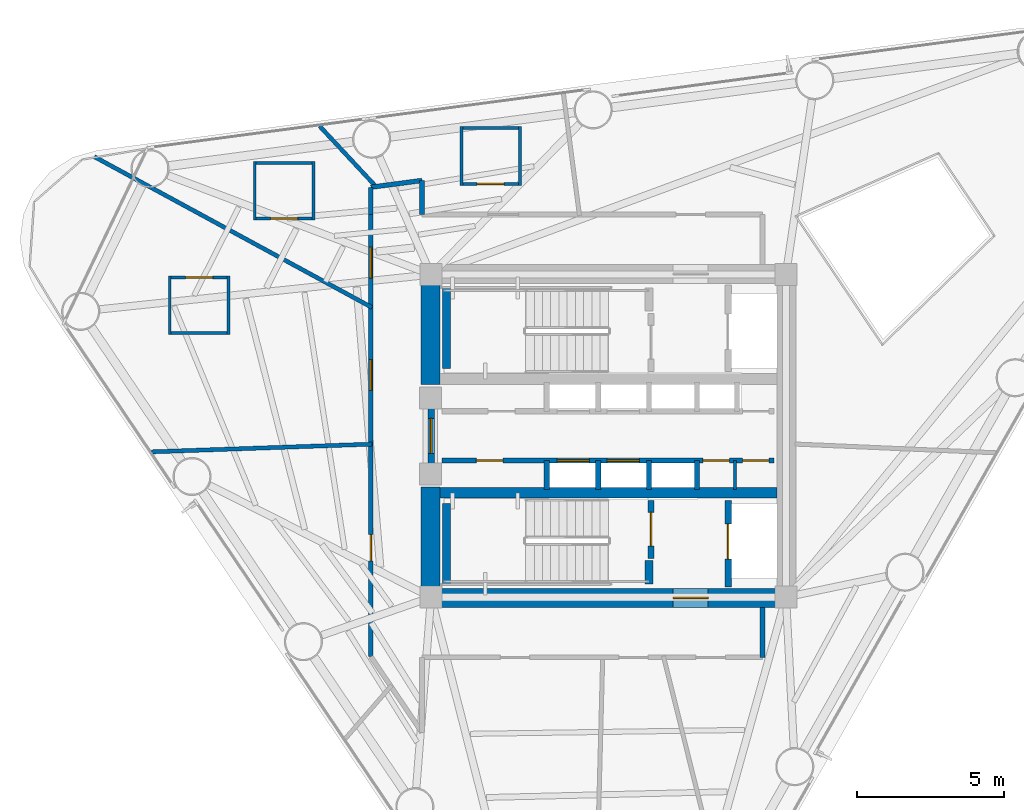
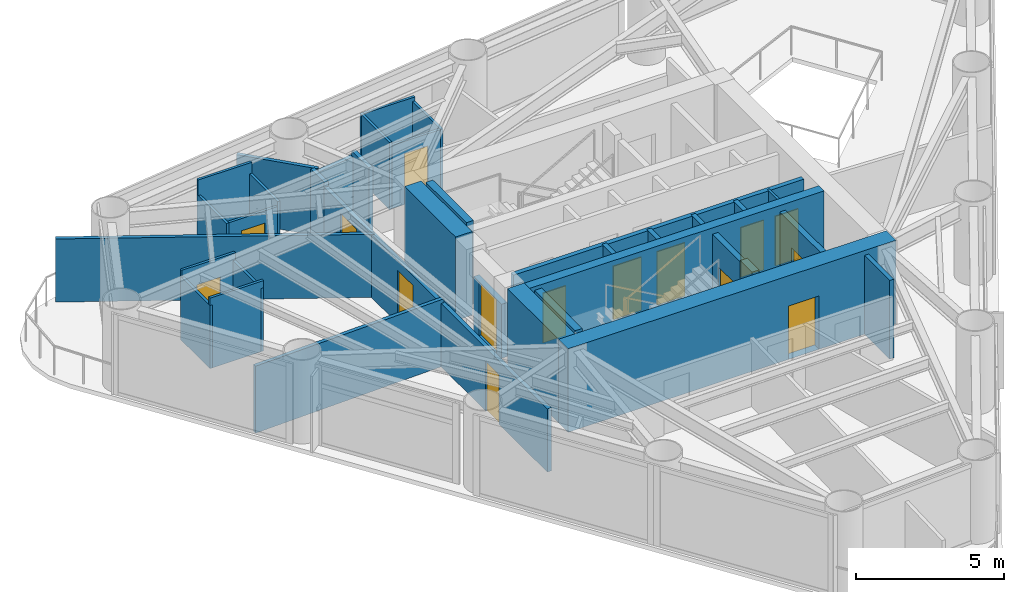
# One storey, part 5 of 9: 36 walls, 15 doors, 15 openings.
"""IFC4 building model written with IfcOpenShell, lengths in metres."""

from ifc_helpers import new_model, si_unit, direction, frame, frame_2d, origin, place, context, subcontext, project, spatial, rectangle, extrude, material, layer, layer_set, type_object, element, fill, save


model = new_model("IFC4")

# Units and contexts
model_context = context("Model", 3, precision=1e-05, world=origin(), true_north=direction((0.0, 1.0)))
body_context = subcontext(model_context, "Body", "Model", "MODEL_VIEW")
ifc_project = project(units=[si_unit("LENGTHUNIT", "METRE"), si_unit("AREAUNIT", "SQUARE_METRE"), si_unit("VOLUMEUNIT", "CUBIC_METRE"), si_unit("PLANEANGLEUNIT", "RADIAN"), si_unit("MASSUNIT", "GRAM", prefix="KILO")], contexts=[model_context])

# Site, building, storey
site_placement = place(None, origin())
site = spatial("IfcSite", under=ifc_project, at=site_placement, CompositionType="ELEMENT")
building_placement = place(site_placement, origin())
building = spatial("IfcBuilding", under=site, at=building_placement, Name="Yunling Apex Tower", CompositionType="ELEMENT")
storey_placement = place(building_placement, frame((0.0, 0.0, 172.550048828125)))
storey = spatial("IfcBuildingStorey", under=building, at=storey_placement, Name="L42", CompositionType="ELEMENT", Elevation=172.550048828125)

# Wall, opening, door
ifc_material_1 = material(Name="Concrete C50", Category="concrete")
ifc_layer_1 = layer(ifc_material_1, 0.64990234375)
ifc_layer_set_1 = layer_set([ifc_layer_1], Name="Concrete C50")
wall_type_1 = type_object("IfcWallType", Name="WL-COR-2", PredefinedType="SHEAR", material=ifc_layer_set_1)
wall_1_placement = place(storey_placement, frame((-6.39990234375, -5.52490234375, 0.0), z_axis=(0.0, 0.0, 1.0), x_axis=(1.0, 0.0, 0.0)))
wall_1 = element("IfcWall", 1, at=wall_1_placement, inside=storey, type_object=wall_type_1, Name="L42 South Core Shear Wall", PredefinedType="SHEAR", context=body_context, shape_type="SweptSolid", body=[
    extrude(rectangle(XDim=12.7998046875, YDim=0.64990234375, at=frame_2d((6.39990234375, 0.0))), origin(), (0.0, 0.0, 1.0), 3.449951171875),
])
opening_1_placement = place(wall_1_placement, frame((8.60009765625, 0.0, 0.0)))
opening_1 = element("IfcOpeningElement", 2, at=opening_1_placement, cuts=wall_1, Name="Opening DR-FFL-1", PredefinedType="OPENING", context=body_context, shape_type="SweptSolid", body=[
    extrude(rectangle(XDim=1.199951171875, YDim=2.199951171875, at=frame_2d((0.60009765625, 1.10009765625))), frame((0.0, 0.3349609375, 0.0), z_axis=(0.0, -1.0, 0.0), x_axis=(1.0, 0.0, 0.0)), (0.0, 0.0, 1.0), 0.669921875),
])
ifc_material_2 = material(Name="Steel Q355B", Category="steel")
door_type_1 = type_object("IfcDoorType", Name="DR-FFL-1", OperationType="NOTDEFINED", PredefinedType="DOOR", material=ifc_material_2)
door_1_placement = place(opening_1_placement, origin())
door_1 = element("IfcDoor", 3, at=door_1_placement, inside=storey, type_object=door_type_1, Name="L42 South Firefighting Lobby Door", OperationType="SINGLE_SWING_RIGHT", OverallHeight=2.199951171875, OverallWidth=1.199951171875, PredefinedType="DOOR", context=body_context, shape_type="SweptSolid", body=[
    extrude(rectangle(XDim=1.199951171875, YDim=2.199951171875, at=frame_2d((0.60009765625, 1.10009765625))), frame((0.0, 0.02490234375, 0.0), z_axis=(0.0, -1.0, 0.0), x_axis=(1.0, 0.0, 0.0)), (0.0, 0.0, 1.0), 0.050048828125),
])
fill(opening_1, door_1)

# Walls
for number, where, z_axis, x_axis, name in (
    (4, (-6.074951171875, -5.199951171875, 0.0), (0.0, 0.0, 1.0), (0.0, 1.0, 0.0), "L42 West-South Core Shear Wall"),
    (5, (-6.074951171875, 1.75, 0.0), (0.0, 0.0, 1.0), (0.0, 1.0, 0.0), "L42 West-North Core Shear Wall"),
):
    element("IfcWall", number, at=place(storey_placement, frame(where, z_axis=z_axis, x_axis=x_axis)), inside=storey, type_object=wall_type_1, Name=name, PredefinedType="SHEAR", context=body_context, shape_type="SweptSolid", body=[
        extrude(rectangle(XDim=3.449951171875, YDim=0.64990234375, at=frame_2d((1.72509765625, 0.0))), origin(), (0.0, 0.0, 1.0), 3.449951171875),
    ])
ifc_material_3 = material(Name="Concrete C40", Category="concrete")
ifc_layer_2 = layer(ifc_material_3, 0.360107421875)
ifc_layer_set_2 = layer_set([ifc_layer_2], Name="Concrete C40")
wall_type_2 = type_object("IfcWallType", Name="WL-COR-4", PredefinedType="SHEAR", material=ifc_layer_set_2)
wall_2_placement = place(storey_placement, frame((-5.75, -1.93994140625, 0.0), z_axis=(0.0, 0.0, 1.0), x_axis=(1.0, 0.0, 0.0)))
element("IfcWall", 6, at=wall_2_placement, inside=storey, type_object=wall_type_2, Name="L42 South Internal Core Shear Wall", PredefinedType="SHEAR", context=body_context, shape_type="SweptSolid", body=[
    extrude(rectangle(XDim=11.5, YDim=0.360107421875, at=frame_2d((5.75, 0.0))), origin(), (0.0, 0.0, 1.0), 3.449951171875),
])
ifc_layer_3 = layer(ifc_material_3, 0.280029296875)
ifc_layer_set_3 = layer_set([ifc_layer_3], Name="Concrete C40")
wall_type_3 = type_object("IfcWallType", Name="WL-COR-8", PredefinedType="SHEAR", material=ifc_layer_set_3)
for number, where, z_axis, x_axis, name in (
    (7, (-5.52001953125, 2.300048828125, 0.0), (0.0, 0.0, 1.0), (0.0, 1.0, 0.0), "L42 ST-1 West Landing Bearing Wall"),
    (8, (-5.52001953125, -5.050048828125, 0.0), (0.0, 0.0, 1.0), (0.0, 1.0, 0.0), "L42 ST-2 West Landing Bearing Wall"),
):
    element("IfcWall", number, at=place(storey_placement, frame(where, z_axis=z_axis, x_axis=x_axis)), inside=storey, type_object=wall_type_3, Name=name, PredefinedType="SHEAR", context=body_context, shape_type="SweptSolid", body=[
        extrude(rectangle(XDim=2.75, YDim=0.280029296875, at=frame_2d((1.375, 0.0))), origin(), (0.0, 0.0, 1.0), 3.449951171875),
    ])
wall_3_placement = place(storey_placement, frame((1.3798828125, -5.050048828125, 0.0), z_axis=(0.0, 0.0, 1.0), x_axis=(0.0, 1.0, 0.0)))
element("IfcWall", 9, at=wall_3_placement, inside=storey, type_object=wall_type_3, Name="L42 ST-2 East Landing Bearing Pier", PredefinedType="SHEAR", context=body_context, shape_type="SweptSolid", body=[
    extrude(rectangle(XDim=0.800048828125, YDim=0.280029296875, at=frame_2d((0.39990234375, 0.0))), origin(), (0.0, 0.0, 1.0), 3.449951171875),
])

# Wall, openings, doors
ifc_material_4 = material(Name="Gypsum board acoustic partition")
ifc_layer_4 = layer(ifc_material_4, 0.159912109375)
ifc_layer_set_4 = layer_set([ifc_layer_4], Name="Gypsum board acoustic partition")
wall_type_4 = type_object("IfcWallType", Name="WL-PRT-1", PredefinedType="PARTITIONING", material=ifc_layer_set_4)
wall_4_placement = place(storey_placement, frame((-8.10009765625, -7.52783203125, 0.0), z_axis=(0.0, 0.0, 1.0), x_axis=(0.0, 1.0, 0.0)))
wall_4 = element("IfcWall", 10, at=wall_4_placement, inside=storey, type_object=wall_type_4, Name="WL-CORR-L42-02", PredefinedType="PARTITIONING", context=body_context, shape_type="SweptSolid", body=[
    extrude(rectangle(XDim=15.077880859375, YDim=0.159912109375, at=frame_2d((7.5390625, 0.0))), origin(), (0.0, 0.0, 1.0), 2.60498046875),
])
opening_2_placement = place(wall_4_placement, frame((3.26513671875, 0.0, 0.0)))
opening_2 = element("IfcOpeningElement", 11, at=opening_2_placement, cuts=wall_4, Name="Opening DR-SHF-1", PredefinedType="OPENING", context=body_context, shape_type="SweptSolid", body=[
    extrude(rectangle(XDim=0.89990234375, YDim=2.050048828125, at=frame_2d((0.449951171875, 1.02490234375))), frame((0.0, 0.08984375, 0.0), z_axis=(0.0, -1.0, 0.0), x_axis=(1.0, 0.0, 0.0)), (0.0, 0.0, 1.0), 0.179931640625),
])
opening_3_placement = place(wall_4_placement, frame((9.07861328125, 0.0, 0.0)))
opening_3 = element("IfcOpeningElement", 12, at=opening_3_placement, cuts=wall_4, Name="Opening DR-FL-1", PredefinedType="OPENING", context=body_context, shape_type="SweptSolid", body=[
    extrude(rectangle(XDim=1.050048828125, YDim=2.199951171875, at=frame_2d((0.52490234375, 1.10009765625))), frame((0.0, 0.08984375, 0.0), z_axis=(0.0, -1.0, 0.0), x_axis=(1.0, 0.0, 0.0)), (0.0, 0.0, 1.0), 0.179931640625),
])
opening_4_placement = place(wall_4_placement, frame((12.909912109375, 0.0, 0.0)))
opening_4 = element("IfcOpeningElement", 13, at=opening_4_placement, cuts=wall_4, Name="Opening DR-FL-1", PredefinedType="OPENING", context=body_context, shape_type="SweptSolid", body=[
    extrude(rectangle(XDim=1.050048828125, YDim=2.199951171875, at=frame_2d((0.52490234375, 1.10009765625))), frame((0.0, 0.08984375, 0.0), z_axis=(0.0, -1.0, 0.0), x_axis=(1.0, 0.0, 0.0)), (0.0, 0.0, 1.0), 0.179931640625),
])
ifc_material_5 = material(Name="Timber fire-rated leaf", Category="wood")
door_type_2 = type_object("IfcDoorType", Name="DR-FL-1", OperationType="NOTDEFINED", PredefinedType="DOOR", material=ifc_material_5)
door_2_placement = place(opening_3_placement, origin())
door_2 = element("IfcDoor", 14, at=door_2_placement, inside=storey, type_object=door_type_2, Name="L42 Hotel Suite Door", OperationType="SINGLE_SWING_RIGHT", OverallHeight=2.199951171875, OverallWidth=1.050048828125, PredefinedType="DOOR", context=body_context, shape_type="SweptSolid", body=[
    extrude(rectangle(XDim=1.050048828125, YDim=2.199951171875, at=frame_2d((0.52490234375, 1.10009765625))), frame((0.0, 0.02490234375, 0.0), z_axis=(0.0, -1.0, 0.0), x_axis=(1.0, 0.0, 0.0)), (0.0, 0.0, 1.0), 0.050048828125),
])
fill(opening_3, door_2)
door_3_placement = place(opening_4_placement, origin())
door_3 = element("IfcDoor", 15, at=door_3_placement, inside=storey, type_object=door_type_2, Name="L42 Hotel Guest Room Door", OperationType="SINGLE_SWING_LEFT", OverallHeight=2.199951171875, OverallWidth=1.050048828125, PredefinedType="DOOR", context=body_context, shape_type="SweptSolid", body=[
    extrude(rectangle(XDim=1.050048828125, YDim=2.199951171875, at=frame_2d((0.52490234375, 1.10009765625))), frame((0.0, 0.02490234375, 0.0), z_axis=(0.0, -1.0, 0.0), x_axis=(1.0, 0.0, 0.0)), (0.0, 0.0, 1.0), 0.050048828125),
])
fill(opening_4, door_3)
door_type_3 = type_object("IfcDoorType", Name="DR-SHF-1", OperationType="NOTDEFINED", PredefinedType="DOOR", material=ifc_material_2)
door_4_placement = place(opening_2_placement, origin())
door_4 = element("IfcDoor", 16, at=door_4_placement, inside=storey, type_object=door_type_3, Name="L42 Housekeeping Room Door", OperationType="SINGLE_SWING_LEFT", OverallHeight=2.050048828125, OverallWidth=0.89990234375, PredefinedType="DOOR", context=body_context, shape_type="SweptSolid", body=[
    extrude(rectangle(XDim=0.89990234375, YDim=2.050048828125, at=frame_2d((0.449951171875, 1.02490234375))), frame((0.0, 0.02490234375, 0.0), z_axis=(0.0, -1.0, 0.0), x_axis=(1.0, 0.0, 0.0)), (0.0, 0.0, 1.0), 0.050048828125),
])
fill(opening_2, door_4)

# Walls
wall_5_placement = place(storey_placement, frame((-8.10009765625, 7.550048828125, 0.0), z_axis=(0.0, 0.0, 1.0), x_axis=(0.0, 1.0, 0.0)))
element("IfcWall", 17, at=wall_5_placement, inside=storey, type_object=wall_type_4, Name="WL-CORR-L42-03", PredefinedType="PARTITIONING", context=body_context, shape_type="SweptSolid", body=[
    extrude(rectangle(XDim=0.927001953125, YDim=0.159912109375, at=frame_2d((0.46337890625, 0.0))), origin(), (0.0, 0.0, 1.0), 2.804931640625),
])
wall_6_placement = place(storey_placement, frame((-8.10009765625, 8.47705078125, 0.0), z_axis=(0.0, 0.0, 1.0), x_axis=(0.991341723558, 0.131307224223, 0.0)))
element("IfcWall", 18, at=wall_6_placement, inside=storey, type_object=wall_type_4, Name="WL-CORR-L42-04", PredefinedType="PARTITIONING", context=body_context, shape_type="SweptSolid", body=[
    extrude(rectangle(XDim=1.755126953125, YDim=0.159912109375, at=frame_2d((0.87744140625, 0.0))), origin(), (0.0, 0.0, 1.0), 2.60498046875),
])
wall_7_placement = place(storey_placement, frame((-6.360107421875, 8.70751953125, 0.0), z_axis=(0.0, 0.0, 1.0), x_axis=(0.0, -1.0, 0.0)))
element("IfcWall", 19, at=wall_7_placement, inside=storey, type_object=wall_type_4, Name="WL-CORR-L42-05", PredefinedType="PARTITIONING", context=body_context, shape_type="SweptSolid", body=[
    extrude(rectangle(XDim=1.157470703125, YDim=0.159912109375, at=frame_2d((0.57861328125, 0.0))), origin(), (0.0, 0.0, 1.0), 2.804931640625),
])
wall_8_placement = place(storey_placement, frame((5.25, -5.85009765625, 0.0), z_axis=(0.0, 0.0, 1.0), x_axis=(0.0, -1.0, 0.0)))
element("IfcWall", 20, at=wall_8_placement, inside=storey, type_object=wall_type_4, Name="WL-CORR-L42-08", PredefinedType="PARTITIONING", context=body_context, shape_type="SweptSolid", body=[
    extrude(rectangle(XDim=1.699951171875, YDim=0.159912109375, at=frame_2d((0.85009765625, 0.0))), origin(), (0.0, 0.0, 1.0), 3.25),
])
ifc_layer_5 = layer(ifc_material_4, 0.139892578125)
ifc_layer_set_5 = layer_set([ifc_layer_5], Name="Gypsum board acoustic partition")
wall_type_5 = type_object("IfcWallType", Name="WL-PRT-2", PredefinedType="PARTITIONING", material=ifc_layer_set_5)
wall_9_placement = place(storey_placement, frame((-7.892822265625, 8.464111328125, 0.0), z_axis=(0.0, 0.0, 1.0), x_axis=(-0.682011061147, 0.73134185746, 0.0)))
element("IfcWall", 21, at=wall_9_placement, inside=storey, type_object=wall_type_5, Name="WL-RAD-L42-03", PredefinedType="PARTITIONING", context=body_context, shape_type="SweptSolid", body=[
    extrude(rectangle(XDim=2.860595703125, YDim=0.139892578125, at=frame_2d((1.43017578125, 0.0))), origin(), (0.0, 0.0, 1.0), 2.764892578125),
])
wall_10_placement = place(storey_placement, frame((-8.06005859375, 4.376220703125, 0.0), z_axis=(0.0, 0.0, 1.0), x_axis=(-0.878817054271, 0.477158867802, 0.0)))
element("IfcWall", 22, at=wall_10_placement, inside=storey, type_object=wall_type_5, Name="WL-RAD-L42-04", PredefinedType="PARTITIONING", context=body_context, shape_type="SweptSolid", body=[
    extrude(rectangle(XDim=10.7744140625, YDim=0.139892578125, at=frame_2d((5.38720703125, 0.0))), origin(), (0.0, 0.0, 1.0), 2.60498046875),
])
wall_11_placement = place(storey_placement, frame((-8.06005859375, -0.281494140625, 0.0), z_axis=(0.0, 0.0, 1.0), x_axis=(-0.999391525522, -0.034879488461, 0.0)))
element("IfcWall", 23, at=wall_11_placement, inside=storey, type_object=wall_type_5, Name="WL-RAD-L42-05", PredefinedType="PARTITIONING", context=body_context, shape_type="SweptSolid", body=[
    extrude(rectangle(XDim=7.517578125, YDim=0.139892578125, at=frame_2d((3.7587890625, 0.0))), origin(), (0.0, 0.0, 1.0), 2.764892578125),
])
ifc_layer_6 = layer(ifc_material_4, 0.10009765625)
ifc_layer_set_6 = layer_set([ifc_layer_6], Name="Gypsum board acoustic partition")
wall_type_6 = type_object("IfcWallType", Name="WL-PRT-4", PredefinedType="PARTITIONING", material=ifc_layer_set_6)
wall_12_placement = place(storey_placement, frame((4.31005859375, -1.820068359375, 0.0), z_axis=(0.0, 0.0, 1.0), x_axis=(0.0, 1.0, 0.0)))
element("IfcWall", 24, at=wall_12_placement, inside=storey, type_object=wall_type_6, Name="WL-KCDIV-L42", PredefinedType="PARTITIONING", context=body_context, shape_type="SweptSolid", body=[
    extrude(rectangle(XDim=0.97998046875, YDim=0.10009765625, at=frame_2d((0.489990234375, 0.0))), origin(), (0.0, 0.0, 1.0), 3.25),
])
wall_13_placement = place(storey_placement, frame((-5.06494140625, 10.489990234375, 0.0), z_axis=(0.0, 0.0, 1.0), x_axis=(1.0, 0.0, 0.0)))
element("IfcWall", 25, at=wall_13_placement, inside=storey, type_object=wall_type_6, Name="WL-ENS-L42-6N", PredefinedType="PARTITIONING", context=body_context, shape_type="SweptSolid", body=[
    extrude(rectangle(XDim=2.099853515625, YDim=0.10009765625, at=frame_2d((1.0498046875, 0.0))), origin(), (0.0, 0.0, 1.0), 2.764892578125),
])

# Wall, opening, door
wall_14_placement = place(storey_placement, frame((-2.965087890625, 8.590087890625, 0.0), z_axis=(0.0, 0.0, 1.0), x_axis=(-1.0, 0.0, 0.0)))
wall_14 = element("IfcWall", 26, at=wall_14_placement, inside=storey, type_object=wall_type_6, Name="WL-ENS-L42-6S", PredefinedType="PARTITIONING", context=body_context, shape_type="SweptSolid", body=[
    extrude(rectangle(XDim=2.099853515625, YDim=0.10009765625, at=frame_2d((1.0498046875, 0.0))), origin(), (0.0, 0.0, 1.0), 2.60498046875),
])
opening_5_placement = place(wall_14_placement, frame((0.590087890625, 0.0, 0.0)))
opening_5 = element("IfcOpeningElement", 27, at=opening_5_placement, cuts=wall_14, Name="Opening DR-WC-1", PredefinedType="OPENING", context=body_context, shape_type="SweptSolid", body=[
    extrude(rectangle(XDim=0.919921875, YDim=2.10009765625, at=frame_2d((0.4599609375, 1.050048828125))), frame((0.0, 0.06005859375, 0.0), z_axis=(0.0, -1.0, 0.0), x_axis=(1.0, 0.0, 0.0)), (0.0, 0.0, 1.0), 0.1201171875),
])
ifc_material_6 = material(Name="Timber moisture-resistant leaf", Category="wood")
door_type_4 = type_object("IfcDoorType", Name="DR-WC-1", OperationType="NOTDEFINED", PredefinedType="DOOR", material=ifc_material_6)
door_5_placement = place(opening_5_placement, origin())
door_5 = element("IfcDoor", 28, at=door_5_placement, inside=storey, type_object=door_type_4, Name="L42 En-Suite Door", OperationType="SINGLE_SWING_RIGHT", OverallHeight=2.10009765625, OverallWidth=0.919921875, PredefinedType="DOOR", context=body_context, shape_type="SweptSolid", body=[
    extrude(rectangle(XDim=0.919921875, YDim=2.10009765625, at=frame_2d((0.4599609375, 1.050048828125))), frame((0.0, 0.02490234375, 0.0), z_axis=(0.0, -1.0, 0.0), x_axis=(1.0, 0.0, 0.0)), (0.0, 0.0, 1.0), 0.050048828125),
])
fill(opening_5, door_5)

# Walls
wall_15_placement = place(storey_placement, frame((-3.014892578125, 10.5400390625, 0.0), z_axis=(0.0, 0.0, 1.0), x_axis=(0.0, -1.0, 0.0)))
element("IfcWall", 29, at=wall_15_placement, inside=storey, type_object=wall_type_6, Name="WL-ENS-L42-6E", PredefinedType="PARTITIONING", context=body_context, shape_type="SweptSolid", body=[
    extrude(rectangle(XDim=2.0, YDim=0.10009765625, at=frame_2d((1.0, 0.0))), origin(), (0.0, 0.0, 1.0), 2.60498046875),
])
wall_16_placement = place(storey_placement, frame((-5.014892578125, 8.5400390625, 0.0), z_axis=(0.0, 0.0, 1.0), x_axis=(0.0, 1.0, 0.0)))
element("IfcWall", 30, at=wall_16_placement, inside=storey, type_object=wall_type_6, Name="WL-ENS-L42-6W", PredefinedType="PARTITIONING", context=body_context, shape_type="SweptSolid", body=[
    extrude(rectangle(XDim=2.0, YDim=0.10009765625, at=frame_2d((1.0, 0.0))), origin(), (0.0, 0.0, 1.0), 2.764892578125),
])
wall_17_placement = place(storey_placement, frame((-12.10888671875, 9.30810546875, 0.0), z_axis=(0.0, 0.0, 1.0), x_axis=(1.0, 0.0, 0.0)))
element("IfcWall", 31, at=wall_17_placement, inside=storey, type_object=wall_type_6, Name="WL-ENS-L42-7N", PredefinedType="PARTITIONING", context=body_context, shape_type="SweptSolid", body=[
    extrude(rectangle(XDim=2.099853515625, YDim=0.10009765625, at=frame_2d((1.0498046875, 0.0))), origin(), (0.0, 0.0, 1.0), 3.25),
])

# Wall, opening, door
wall_18_placement = place(storey_placement, frame((-10.009033203125, 7.407958984375, 0.0), z_axis=(0.0, 0.0, 1.0), x_axis=(-1.0, 0.0, 0.0)))
wall_18 = element("IfcWall", 32, at=wall_18_placement, inside=storey, type_object=wall_type_6, Name="WL-ENS-L42-7S", PredefinedType="PARTITIONING", context=body_context, shape_type="SweptSolid", body=[
    extrude(rectangle(XDim=2.099853515625, YDim=0.10009765625, at=frame_2d((1.0498046875, 0.0))), origin(), (0.0, 0.0, 1.0), 2.60498046875),
])
opening_6_placement = place(wall_18_placement, frame((0.590087890625, 0.0, 0.0)))
opening_6 = element("IfcOpeningElement", 33, at=opening_6_placement, cuts=wall_18, Name="Opening DR-WC-1", PredefinedType="OPENING", context=body_context, shape_type="SweptSolid", body=[
    extrude(rectangle(XDim=0.919921875, YDim=2.10009765625, at=frame_2d((0.4599609375, 1.050048828125))), frame((0.0, 0.06005859375, 0.0), z_axis=(0.0, -1.0, 0.0), x_axis=(1.0, 0.0, 0.0)), (0.0, 0.0, 1.0), 0.1201171875),
])
door_6_placement = place(opening_6_placement, origin())
door_6 = element("IfcDoor", 34, at=door_6_placement, inside=storey, type_object=door_type_4, Name="L42 En-Suite Door", OperationType="SINGLE_SWING_LEFT", OverallHeight=2.10009765625, OverallWidth=0.919921875, PredefinedType="DOOR", context=body_context, shape_type="SweptSolid", body=[
    extrude(rectangle(XDim=0.919921875, YDim=2.10009765625, at=frame_2d((0.4599609375, 1.050048828125))), frame((0.0, 0.02490234375, 0.0), z_axis=(0.0, -1.0, 0.0), x_axis=(1.0, 0.0, 0.0)), (0.0, 0.0, 1.0), 0.050048828125),
])
fill(opening_6, door_6)

# Walls
wall_19_placement = place(storey_placement, frame((-10.05908203125, 9.35791015625, 0.0), z_axis=(0.0, 0.0, 1.0), x_axis=(0.0, -1.0, 0.0)))
element("IfcWall", 35, at=wall_19_placement, inside=storey, type_object=wall_type_6, Name="WL-ENS-L42-7E", PredefinedType="PARTITIONING", context=body_context, shape_type="SweptSolid", body=[
    extrude(rectangle(XDim=2.0, YDim=0.10009765625, at=frame_2d((1.0, 0.0))), origin(), (0.0, 0.0, 1.0), 2.804931640625),
])
wall_20_placement = place(storey_placement, frame((-12.05908203125, 7.35791015625, 0.0), z_axis=(0.0, 0.0, 1.0), x_axis=(0.0, 1.0, 0.0)))
element("IfcWall", 36, at=wall_20_placement, inside=storey, type_object=wall_type_6, Name="WL-ENS-L42-7W", PredefinedType="PARTITIONING", context=body_context, shape_type="SweptSolid", body=[
    extrude(rectangle(XDim=2.0, YDim=0.10009765625, at=frame_2d((1.0, 0.0))), origin(), (0.0, 0.0, 1.0), 2.60498046875),
])

# Wall, opening, door
wall_21_placement = place(storey_placement, frame((-15.007080078125, 5.403076171875, 0.0), z_axis=(0.0, 0.0, 1.0), x_axis=(1.0, 0.0, 0.0)))
wall_21 = element("IfcWall", 37, at=wall_21_placement, inside=storey, type_object=wall_type_6, Name="WL-ENS-L42-8N", PredefinedType="PARTITIONING", context=body_context, shape_type="SweptSolid", body=[
    extrude(rectangle(XDim=2.10009765625, YDim=0.10009765625, at=frame_2d((1.050048828125, 0.0))), origin(), (0.0, 0.0, 1.0), 2.905029296875),
])
opening_7_placement = place(wall_21_placement, frame((0.590087890625, 0.0, 0.0)))
opening_7 = element("IfcOpeningElement", 38, at=opening_7_placement, cuts=wall_21, Name="Opening DR-WC-1", PredefinedType="OPENING", context=body_context, shape_type="SweptSolid", body=[
    extrude(rectangle(XDim=0.919921875, YDim=2.10009765625, at=frame_2d((0.4599609375, 1.050048828125))), frame((0.0, 0.06005859375, 0.0), z_axis=(0.0, -1.0, 0.0), x_axis=(1.0, 0.0, 0.0)), (0.0, 0.0, 1.0), 0.1201171875),
])
door_7_placement = place(opening_7_placement, origin())
door_7 = element("IfcDoor", 39, at=door_7_placement, inside=storey, type_object=door_type_4, Name="L42 En-Suite Door", OperationType="SINGLE_SWING_RIGHT", OverallHeight=2.10009765625, OverallWidth=0.919921875, PredefinedType="DOOR", context=body_context, shape_type="SweptSolid", body=[
    extrude(rectangle(XDim=0.919921875, YDim=2.10009765625, at=frame_2d((0.4599609375, 1.050048828125))), frame((0.0, 0.02490234375, 0.0), z_axis=(0.0, -1.0, 0.0), x_axis=(1.0, 0.0, 0.0)), (0.0, 0.0, 1.0), 0.050048828125),
])
fill(opening_7, door_7)

# Walls
wall_22_placement = place(storey_placement, frame((-12.906982421875, 3.5029296875, 0.0), z_axis=(0.0, 0.0, 1.0), x_axis=(-1.0, 0.0, 0.0)))
element("IfcWall", 40, at=wall_22_placement, inside=storey, type_object=wall_type_6, Name="WL-ENS-L42-8S", PredefinedType="PARTITIONING", context=body_context, shape_type="SweptSolid", body=[
    extrude(rectangle(XDim=2.10009765625, YDim=0.10009765625, at=frame_2d((1.050048828125, 0.0))), origin(), (0.0, 0.0, 1.0), 2.905029296875),
])
for number, where, z_axis, x_axis, name in (
    (41, (-12.95703125, 5.452880859375, 0.0), (0.0, 0.0, 1.0), (0.0, -1.0, 0.0), "WL-ENS-L42-8E"),
    (42, (-14.95703125, 3.452880859375, 0.0), (0.0, 0.0, 1.0), (0.0, 1.0, 0.0), "WL-ENS-L42-8W"),
):
    element("IfcWall", number, at=place(storey_placement, frame(where, z_axis=z_axis, x_axis=x_axis)), inside=storey, type_object=wall_type_6, Name=name, PredefinedType="PARTITIONING", context=body_context, shape_type="SweptSolid", body=[
        extrude(rectangle(XDim=2.0, YDim=0.10009765625, at=frame_2d((1.0, 0.0))), origin(), (0.0, 0.0, 1.0), 2.60498046875),
    ])

# Wall, opening, door
ifc_material_7 = material(Name="Autoclaved aerated concrete masonry", Category="masonry")
ifc_layer_7 = layer(ifc_material_7, 0.219970703125)
ifc_layer_set_7 = layer_set([ifc_layer_7], Name="Autoclaved aerated concrete masonry")
wall_type_7 = type_object("IfcWallType", Name="WL-SHF-1", PredefinedType="PLUMBINGWALL", material=ifc_layer_set_7)
wall_23_placement = place(storey_placement, frame((-6.050048828125, -0.949951171875, 0.0), z_axis=(0.0, 0.0, 1.0), x_axis=(0.0, 1.0, 0.0)))
wall_23 = element("IfcWall", 43, at=wall_23_placement, inside=storey, type_object=wall_type_7, Name="WL-COR-WPORT-L42", PredefinedType="PLUMBINGWALL", context=body_context, shape_type="SweptSolid", body=[
    extrude(rectangle(XDim=1.89990234375, YDim=0.219970703125, at=frame_2d((0.949951171875, 0.0))), origin(), (0.0, 0.0, 1.0), 2.22998046875),
])
opening_8_placement = place(wall_23_placement, frame((0.35009765625, 0.0, 0.0)))
opening_8 = element("IfcOpeningElement", 44, at=opening_8_placement, cuts=wall_23, Name="Opening DR-FFL-1", PredefinedType="OPENING", context=body_context, shape_type="SweptSolid", body=[
    extrude(rectangle(XDim=1.199951171875, YDim=2.199951171875, at=frame_2d((0.60009765625, 1.10009765625))), frame((0.0, 0.1201171875, 0.0), z_axis=(0.0, -1.0, 0.0), x_axis=(1.0, 0.0, 0.0)), (0.0, 0.0, 1.0), 0.239990234375),
])
door_8_placement = place(opening_8_placement, origin())
door_8 = element("IfcDoor", 45, at=door_8_placement, inside=storey, type_object=door_type_1, Name="L42 Passenger Lift Lobby Entrance Door", OperationType="SINGLE_SWING_RIGHT", OverallHeight=2.199951171875, OverallWidth=1.199951171875, PredefinedType="DOOR", context=body_context, shape_type="SweptSolid", body=[
    extrude(rectangle(XDim=1.199951171875, YDim=2.199951171875, at=frame_2d((0.60009765625, 1.10009765625))), frame((0.0, 0.02490234375, 0.0), z_axis=(0.0, -1.0, 0.0), x_axis=(1.0, 0.0, 0.0)), (0.0, 0.0, 1.0), 0.050048828125),
])
fill(opening_8, door_8)

wall_24_placement = place(storey_placement, frame((1.449951171875, -4.179931640625, 0.0), z_axis=(0.0, 0.0, 1.0), x_axis=(0.0, 1.0, 0.0)))
wall_24 = element("IfcWall", 46, at=wall_24_placement, inside=storey, type_object=wall_type_7, Name="WL-ST2-E-L42", PredefinedType="PLUMBINGWALL", context=body_context, shape_type="SweptSolid", body=[
    extrude(rectangle(XDim=1.97998046875, YDim=0.219970703125, at=frame_2d((0.989990234375, 0.0))), origin(), (0.0, 0.0, 1.0), 3.25),
])
opening_9_placement = place(wall_24_placement, frame((0.419921875, 0.0, 0.0)))
opening_9 = element("IfcOpeningElement", 47, at=opening_9_placement, cuts=wall_24, Name="Opening DR-ST-1", PredefinedType="OPENING", context=body_context, shape_type="SweptSolid", body=[
    extrude(rectangle(XDim=1.14990234375, YDim=2.14990234375, at=frame_2d((0.574951171875, 1.074951171875))), frame((0.0, 0.1201171875, 0.0), z_axis=(0.0, -1.0, 0.0), x_axis=(1.0, 0.0, 0.0)), (0.0, 0.0, 1.0), 0.239990234375),
])
door_type_5 = type_object("IfcDoorType", Name="DR-ST-1", OperationType="NOTDEFINED", PredefinedType="DOOR", material=ifc_material_2)
door_9_placement = place(opening_9_placement, origin())
door_9 = element("IfcDoor", 48, at=door_9_placement, inside=storey, type_object=door_type_5, Name="L42 Stair ST-2 Fire Door", OperationType="SINGLE_SWING_RIGHT", OverallHeight=2.14990234375, OverallWidth=1.14990234375, PredefinedType="DOOR", context=body_context, shape_type="SweptSolid", body=[
    extrude(rectangle(XDim=1.14990234375, YDim=2.14990234375, at=frame_2d((0.574951171875, 1.074951171875))), frame((0.0, 0.02490234375, 0.0), z_axis=(0.0, -1.0, 0.0), x_axis=(1.0, 0.0, 0.0)), (0.0, 0.0, 1.0), 0.050048828125),
])
fill(opening_9, door_9)

wall_25_placement = place(storey_placement, frame((4.080078125, -5.14990234375, 0.0), z_axis=(0.0, 0.0, 1.0), x_axis=(0.0, 1.0, 0.0)))
wall_25 = element("IfcWall", 49, at=wall_25_placement, inside=storey, type_object=wall_type_7, Name="WL-FFL2-W-L42", PredefinedType="PLUMBINGWALL", context=body_context, shape_type="SweptSolid", body=[
    extrude(rectangle(XDim=2.949951171875, YDim=0.219970703125, at=frame_2d((1.47509765625, 0.0))), origin(), (0.0, 0.0, 1.0), 3.25),
])
opening_10_placement = place(wall_25_placement, frame((0.949951171875, 0.0, 0.0)))
opening_10 = element("IfcOpeningElement", 50, at=opening_10_placement, cuts=wall_25, Name="Opening LD-FFL-1", PredefinedType="OPENING", context=body_context, shape_type="SweptSolid", body=[
    extrude(rectangle(XDim=1.199951171875, YDim=2.25, at=frame_2d((0.60009765625, 1.125))), frame((0.0, 0.1201171875, 0.0), z_axis=(0.0, -1.0, 0.0), x_axis=(1.0, 0.0, 0.0)), (0.0, 0.0, 1.0), 0.239990234375),
])
door_type_6 = type_object("IfcDoorType", Name="LD-FFL-1", OperationType="DOUBLE_DOOR_SLIDING", PredefinedType="DOOR", material=ifc_material_2)
door_10_placement = place(opening_10_placement, origin())
door_10 = element("IfcDoor", 51, at=door_10_placement, inside=storey, type_object=door_type_6, Name="L42 Lift FFL-2 Landing Door", OperationType="DOUBLE_DOOR_SLIDING", OverallHeight=2.25, OverallWidth=1.199951171875, PredefinedType="DOOR", context=body_context, shape_type="SweptSolid", body=[
    extrude(rectangle(XDim=1.199951171875, YDim=2.25, at=frame_2d((0.60009765625, 1.125))), frame((0.0, 0.02490234375, 0.0), z_axis=(0.0, -1.0, 0.0), x_axis=(1.0, 0.0, 0.0)), (0.0, 0.0, 1.0), 0.050048828125),
])
fill(opening_10, door_10)

# Walls
ifc_layer_8 = layer(ifc_material_7, 0.179931640625)
ifc_layer_set_8 = layer_set([ifc_layer_8], Name="Autoclaved aerated concrete masonry")
wall_type_8 = type_object("IfcWallType", Name="WL-SHF-2", PredefinedType="PLUMBINGWALL", material=ifc_layer_set_8)
for number, where, z_axis, x_axis, name in (
    (52, (-2.10009765625, -1.820068359375, 0.0), (0.0, 0.0, 1.0), (0.0, 1.0, 0.0), "WL-BNK-LM-S-L42"),
    (53, (-0.35009765625, -1.820068359375, 0.0), (0.0, 0.0, 1.0), (0.0, 1.0, 0.0), "WL-DIV-M34-L42"),
    (54, (1.3798828125, -1.820068359375, 0.0), (0.0, 0.0, 1.0), (0.0, 1.0, 0.0), "WL-BNK-MH-S-L42"),
    (55, (3.02001953125, -1.820068359375, 0.0), (0.0, 0.0, 1.0), (0.0, 1.0, 0.0), "WL-END-H2E-L42"),
):
    element("IfcWall", number, at=place(storey_placement, frame(where, z_axis=z_axis, x_axis=x_axis)), inside=storey, type_object=wall_type_8, Name=name, PredefinedType="PLUMBINGWALL", context=body_context, shape_type="SweptSolid", body=[
        extrude(rectangle(XDim=0.97998046875, YDim=0.179931640625, at=frame_2d((0.489990234375, 0.0))), origin(), (0.0, 0.0, 1.0), 3.25),
    ])

# Wall, openings, doors
wall_26_placement = place(storey_placement, frame((-5.679931640625, -0.840087890625, 0.0), z_axis=(0.0, 0.0, 1.0), x_axis=(1.0, 0.0, 0.0)))
wall_26 = element("IfcWall", 56, at=wall_26_placement, inside=storey, type_object=wall_type_8, Name="WL-LOB-S-L42", PredefinedType="PLUMBINGWALL", context=body_context, shape_type="SweptSolid", body=[
    extrude(rectangle(XDim=11.329833984375, YDim=0.179931640625, at=frame_2d((5.6650390625, 0.0))), origin(), (0.0, 0.0, 1.0), 3.25),
])
opening_11_placement = place(wall_26_placement, frame((1.179931640625, 0.0, 0.0)))
opening_11 = element("IfcOpeningElement", 57, at=opening_11_placement, cuts=wall_26, Name="Opening DR-SHF-1", PredefinedType="OPENING", context=body_context, shape_type="SweptSolid", body=[
    extrude(rectangle(XDim=0.89990234375, YDim=2.050048828125, at=frame_2d((0.449951171875, 1.02490234375))), frame((0.0, 0.10009765625, 0.0), z_axis=(0.0, -1.0, 0.0), x_axis=(1.0, 0.0, 0.0)), (0.0, 0.0, 1.0), 0.199951171875),
])
opening_12_placement = place(wall_26_placement, frame((3.929931640625, 0.0, 0.0)))
opening_12 = element("IfcOpeningElement", 58, at=opening_12_placement, cuts=wall_26, Name="Opening LD-PAS-1", PredefinedType="OPENING", context=body_context, shape_type="SweptSolid", body=[
    extrude(rectangle(XDim=1.10009765625, YDim=2.199951171875, at=frame_2d((0.550048828125, 1.10009765625))), frame((0.0, 0.10009765625, 0.0), z_axis=(0.0, -1.0, 0.0), x_axis=(1.0, 0.0, 0.0)), (0.0, 0.0, 1.0), 0.199951171875),
])
opening_13_placement = place(wall_26_placement, frame((5.6298828125, 0.0, 0.0)))
opening_13 = element("IfcOpeningElement", 59, at=opening_13_placement, cuts=wall_26, Name="Opening LD-PAS-1", PredefinedType="OPENING", context=body_context, shape_type="SweptSolid", body=[
    extrude(rectangle(XDim=1.10009765625, YDim=2.199951171875, at=frame_2d((0.550048828125, 1.10009765625))), frame((0.0, 0.10009765625, 0.0), z_axis=(0.0, -1.0, 0.0), x_axis=(1.0, 0.0, 0.0)), (0.0, 0.0, 1.0), 0.199951171875),
])
opening_14_placement = place(wall_26_placement, frame((8.89990234375, 0.0, 0.0)))
opening_14 = element("IfcOpeningElement", 60, at=opening_14_placement, cuts=wall_26, Name="Opening DR-SHF-1", PredefinedType="OPENING", context=body_context, shape_type="SweptSolid", body=[
    extrude(rectangle(XDim=0.89990234375, YDim=2.050048828125, at=frame_2d((0.449951171875, 1.02490234375))), frame((0.0, 0.10009765625, 0.0), z_axis=(0.0, -1.0, 0.0), x_axis=(1.0, 0.0, 0.0)), (0.0, 0.0, 1.0), 0.199951171875),
])
opening_15_placement = place(wall_26_placement, frame((10.25, 0.0, 0.0)))
opening_15 = element("IfcOpeningElement", 61, at=opening_15_placement, cuts=wall_26, Name="Opening DR-SHF-1", PredefinedType="OPENING", context=body_context, shape_type="SweptSolid", body=[
    extrude(rectangle(XDim=0.89990234375, YDim=2.050048828125, at=frame_2d((0.449951171875, 1.02490234375))), frame((0.0, 0.10009765625, 0.0), z_axis=(0.0, -1.0, 0.0), x_axis=(1.0, 0.0, 0.0)), (0.0, 0.0, 1.0), 0.199951171875),
])
door_11_placement = place(opening_11_placement, origin())
door_11 = element("IfcDoor", 62, at=door_11_placement, inside=storey, type_object=door_type_3, Name="L42 Archive Store Door", OperationType="SINGLE_SWING_LEFT", OverallHeight=2.050048828125, OverallWidth=0.89990234375, PredefinedType="DOOR", context=body_context, shape_type="SweptSolid", body=[
    extrude(rectangle(XDim=0.89990234375, YDim=2.050048828125, at=frame_2d((0.449951171875, 1.02490234375))), frame((0.0, 0.02490234375, 0.0), z_axis=(0.0, -1.0, 0.0), x_axis=(1.0, 0.0, 0.0)), (0.0, 0.0, 1.0), 0.050048828125),
])
fill(opening_11, door_11)
door_12_placement = place(opening_14_placement, origin())
door_12 = element("IfcDoor", 63, at=door_12_placement, inside=storey, type_object=door_type_3, Name="L42 LV Closet Door", OperationType="SINGLE_SWING_RIGHT", OverallHeight=2.050048828125, OverallWidth=0.89990234375, PredefinedType="DOOR", context=body_context, shape_type="SweptSolid", body=[
    extrude(rectangle(XDim=0.89990234375, YDim=2.050048828125, at=frame_2d((0.449951171875, 1.02490234375))), frame((0.0, 0.02490234375, 0.0), z_axis=(0.0, -1.0, 0.0), x_axis=(1.0, 0.0, 0.0)), (0.0, 0.0, 1.0), 0.050048828125),
])
fill(opening_14, door_12)
door_13_placement = place(opening_15_placement, origin())
door_13 = element("IfcDoor", 64, at=door_13_placement, inside=storey, type_object=door_type_3, Name="L42 Standpipe Closet Door", OperationType="SINGLE_SWING_LEFT", OverallHeight=2.050048828125, OverallWidth=0.89990234375, PredefinedType="DOOR", context=body_context, shape_type="SweptSolid", body=[
    extrude(rectangle(XDim=0.89990234375, YDim=2.050048828125, at=frame_2d((0.449951171875, 1.02490234375))), frame((0.0, 0.02490234375, 0.0), z_axis=(0.0, -1.0, 0.0), x_axis=(1.0, 0.0, 0.0)), (0.0, 0.0, 1.0), 0.050048828125),
])
fill(opening_15, door_13)
ifc_material_8 = material(Name="Silver anodised aluminium", Category="aluminium")
door_type_7 = type_object("IfcDoorType", Name="LD-PAS-1", OperationType="DOUBLE_DOOR_SLIDING", PredefinedType="DOOR", material=ifc_material_8)
door_14_placement = place(opening_12_placement, origin())
door_14 = element("IfcDoor", 65, at=door_14_placement, inside=storey, type_object=door_type_7, Name="L42 Lift PL-M3 Landing Door", OperationType="DOUBLE_DOOR_SLIDING", OverallHeight=2.199951171875, OverallWidth=1.10009765625, PredefinedType="DOOR", context=body_context, shape_type="SweptSolid", body=[
    extrude(rectangle(XDim=1.10009765625, YDim=2.199951171875, at=frame_2d((0.550048828125, 1.10009765625))), frame((0.0, 0.02490234375, 0.0), z_axis=(0.0, -1.0, 0.0), x_axis=(1.0, 0.0, 0.0)), (0.0, 0.0, 1.0), 0.050048828125),
])
fill(opening_12, door_14)
door_15_placement = place(opening_13_placement, origin())
door_15 = element("IfcDoor", 66, at=door_15_placement, inside=storey, type_object=door_type_7, Name="L42 Lift PL-M4 Landing Door", OperationType="DOUBLE_DOOR_SLIDING", OverallHeight=2.199951171875, OverallWidth=1.10009765625, PredefinedType="DOOR", context=body_context, shape_type="SweptSolid", body=[
    extrude(rectangle(XDim=1.10009765625, YDim=2.199951171875, at=frame_2d((0.550048828125, 1.10009765625))), frame((0.0, 0.02490234375, 0.0), z_axis=(0.0, -1.0, 0.0), x_axis=(1.0, 0.0, 0.0)), (0.0, 0.0, 1.0), 0.050048828125),
])
fill(opening_13, door_15)

save(model, "model.ifc")
